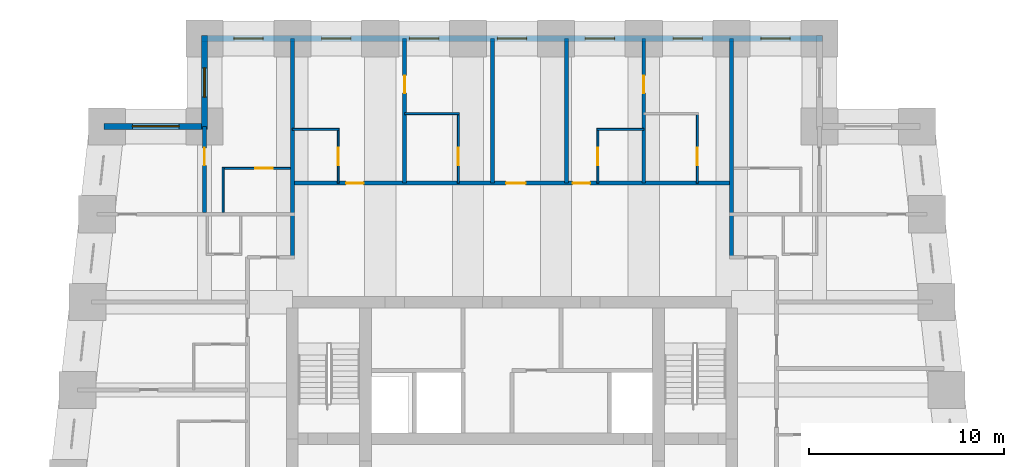
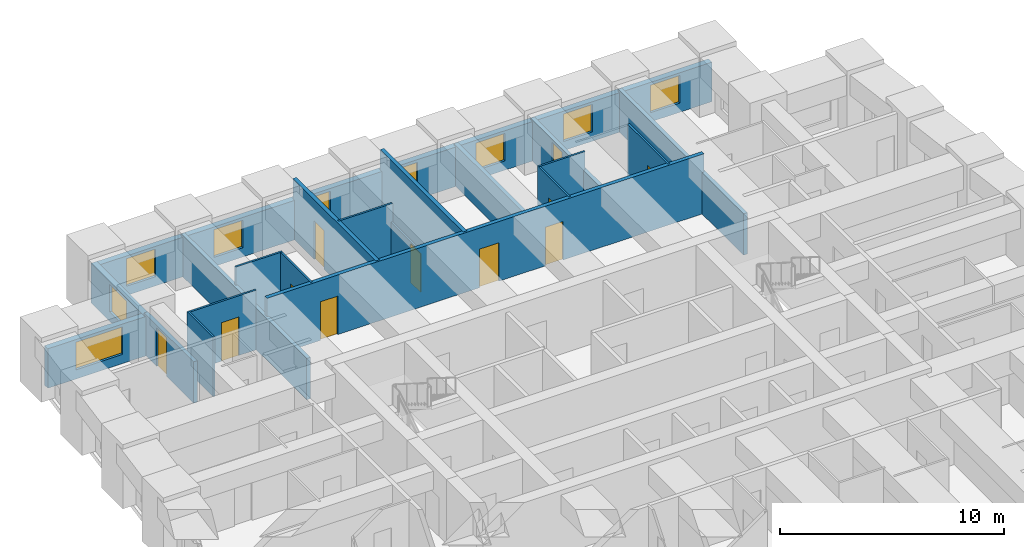
# One storey, part 6 of 8: 20 walls, 11 doors, 9 windows, 20 openings.
"""IFC4 building model written with IfcOpenShell, lengths in metres."""

from ifc_helpers import new_model, si_unit, direction, frame, frame_2d, origin, place, context, subcontext, project, spatial, rectangle, extrude, material, layer, layer_set, type_object, element, fill, save


model = new_model("IFC4")

# Units and contexts
model_context = context("Model", 3, precision=1e-05, world=origin(), true_north=direction((0.0, 1.0)))
body_context = subcontext(model_context, "Body", "Model", "MODEL_VIEW")
ifc_project = project(units=[si_unit("LENGTHUNIT", "METRE"), si_unit("AREAUNIT", "SQUARE_METRE"), si_unit("VOLUMEUNIT", "CUBIC_METRE"), si_unit("PLANEANGLEUNIT", "RADIAN"), si_unit("MASSUNIT", "GRAM", prefix="KILO")], contexts=[model_context])

# Site, building, storey
site_placement = place(None, origin())
site = spatial("IfcSite", under=ifc_project, at=site_placement, CompositionType="ELEMENT")
building_placement = place(site_placement, origin())
building = spatial("IfcBuilding", under=site, at=building_placement, Name="Kilele Tower Hotel", CompositionType="ELEMENT")
storey_placement = place(building_placement, frame((0.0, 0.0, 117.89990234375)))
storey = spatial("IfcBuildingStorey", under=building, at=storey_placement, Name="L30", CompositionType="ELEMENT", Elevation=117.89990234375)

# Wall
ifc_material_1 = material(Name="Moisture-resistant board")
ifc_layer_1 = layer(ifc_material_1, 0.10009765625)
ifc_layer_set_1 = layer_set([ifc_layer_1], Name="Moisture-resistant board")
wall_type_1 = type_object("IfcWallType", Name="Bathroom partition 100", PredefinedType="PLUMBINGWALL", material=ifc_layer_set_1)
wall_1_placement = place(storey_placement, frame((13.5, 35.85009765625, 0.0), z_axis=(0.0, 0.0, 1.0), x_axis=(1.0, 0.0, 0.0)))
element("IfcWall", 1, at=wall_1_placement, inside=storey, type_object=wall_type_1, Name="Bathroom partition 100 L30", PredefinedType="PLUMBINGWALL", context=body_context, shape_type="SweptSolid", body=[
    extrude(rectangle(XDim=2.39990234375, YDim=0.10009765625, at=frame_2d((1.199951171875, 0.0))), origin(), (0.0, 0.0, 1.0), 3.25),
])

# Wall, opening, door
wall_2_placement = place(storey_placement, frame((15.85009765625, 33.10009765625, 0.0), z_axis=(0.0, 0.0, 1.0), x_axis=(0.0, 1.0, 0.0)))
wall_2 = element("IfcWall", 2, at=wall_2_placement, inside=storey, type_object=wall_type_1, Name="Bathroom partition 100 L30", PredefinedType="PLUMBINGWALL", context=body_context, shape_type="SweptSolid", body=[
    extrude(rectangle(XDim=2.7998046875, YDim=0.10009765625, at=frame_2d((1.39990234375, 0.0))), origin(), (0.0, 0.0, 1.0), 3.25),
])
opening_1_placement = place(wall_2_placement, frame((1.7998046875, 0.0, 0.0), z_axis=(0.0, 0.0, 1.0), x_axis=(-1.0, 0.0, 0.0)))
opening_1 = element("IfcOpeningElement", 3, at=opening_1_placement, cuts=wall_2, Name="Opening D2A", PredefinedType="OPENING", context=body_context, shape_type="SweptSolid", body=[
    extrude(rectangle(XDim=0.89990234375, YDim=2.10009765625, at=frame_2d((0.449951171875, 1.050048828125))), frame((0.0, 0.06005859375, 0.0), z_axis=(0.0, -1.0, 0.0), x_axis=(1.0, 0.0, 0.0)), (0.0, 0.0, 1.0), 0.1201171875),
])
ifc_material_2 = material(Name="Timber door leaf in hardwood frame", Category="wood")
door_type_1 = type_object("IfcDoorType", Name="Bathroom door 900", OperationType="SINGLE_SWING_LEFT", PredefinedType="DOOR", material=ifc_material_2)
door_1_placement = place(opening_1_placement, origin())
door_1 = element("IfcDoor", 4, at=door_1_placement, inside=storey, type_object=door_type_1, Name="Bathroom door 3009B", OperationType="SINGLE_SWING_RIGHT", OverallHeight=2.10009765625, OverallWidth=0.89990234375, PredefinedType="DOOR", context=body_context, shape_type="SweptSolid", body=[
    extrude(rectangle(XDim=0.89990234375, YDim=2.10009765625, at=frame_2d((0.449951171875, 1.050048828125))), frame((0.0, 0.02490234375, 0.0), z_axis=(0.0, -1.0, 0.0), x_axis=(1.0, 0.0, 0.0)), (0.0, 0.0, 1.0), 0.050048828125),
])
fill(opening_1, door_1)

# Wall
wall_3_placement = place(storey_placement, frame((19.25, 36.64990234375, 0.0), z_axis=(0.0, 0.0, 1.0), x_axis=(1.0, 0.0, 0.0)))
element("IfcWall", 5, at=wall_3_placement, inside=storey, type_object=wall_type_1, Name="Bathroom partition 100 L30", PredefinedType="PLUMBINGWALL", context=body_context, shape_type="SweptSolid", body=[
    extrude(rectangle(XDim=2.800048828125, YDim=0.10009765625, at=frame_2d((1.39990234375, 0.0))), origin(), (0.0, 0.0, 1.0), 3.25),
])

# Wall, opening, door
wall_4_placement = place(storey_placement, frame((22.0, 33.10009765625, 0.0), z_axis=(0.0, 0.0, 1.0), x_axis=(0.0, 1.0, 0.0)))
wall_4 = element("IfcWall", 6, at=wall_4_placement, inside=storey, type_object=wall_type_1, Name="Bathroom partition 100 L30", PredefinedType="PLUMBINGWALL", context=body_context, shape_type="SweptSolid", body=[
    extrude(rectangle(XDim=3.599853515625, YDim=0.10009765625, at=frame_2d((1.7998046875, 0.0))), origin(), (0.0, 0.0, 1.0), 2.25),
])
opening_2_placement = place(wall_4_placement, frame((1.7998046875, 0.0, 0.0), z_axis=(0.0, 0.0, 1.0), x_axis=(-1.0, 0.0, 0.0)))
opening_2 = element("IfcOpeningElement", 7, at=opening_2_placement, cuts=wall_4, Name="Opening D2A", PredefinedType="OPENING", context=body_context, shape_type="SweptSolid", body=[
    extrude(rectangle(XDim=0.89990234375, YDim=2.10009765625, at=frame_2d((0.449951171875, 1.050048828125))), frame((0.0, 0.06005859375, 0.0), z_axis=(0.0, -1.0, 0.0), x_axis=(1.0, 0.0, 0.0)), (0.0, 0.0, 1.0), 0.1201171875),
])
door_2_placement = place(opening_2_placement, origin())
door_2 = element("IfcDoor", 8, at=door_2_placement, inside=storey, type_object=door_type_1, Name="Bathroom door 3010B", OperationType="SINGLE_SWING_RIGHT", OverallHeight=2.10009765625, OverallWidth=0.89990234375, PredefinedType="DOOR", context=body_context, shape_type="SweptSolid", body=[
    extrude(rectangle(XDim=0.89990234375, YDim=2.10009765625, at=frame_2d((0.449951171875, 1.050048828125))), frame((0.0, 0.02490234375, 0.0), z_axis=(0.0, -1.0, 0.0), x_axis=(1.0, 0.0, 0.0)), (0.0, 0.0, 1.0), 0.050048828125),
])
fill(opening_2, door_2)

# Wall
wall_5_placement = place(storey_placement, frame((29.10009765625, 35.85009765625, 0.0), z_axis=(0.0, 0.0, 1.0), x_axis=(1.0, 0.0, 0.0)))
element("IfcWall", 9, at=wall_5_placement, inside=storey, type_object=wall_type_1, Name="Bathroom partition 100 L30", PredefinedType="PLUMBINGWALL", context=body_context, shape_type="SweptSolid", body=[
    extrude(rectangle(XDim=2.39990234375, YDim=0.10009765625, at=frame_2d((1.199951171875, 0.0))), origin(), (0.0, 0.0, 1.0), 3.25),
])

# Wall, opening, door
wall_6_placement = place(storey_placement, frame((29.14990234375, 33.10009765625, 0.0), z_axis=(0.0, 0.0, 1.0), x_axis=(0.0, 1.0, 0.0)))
wall_6 = element("IfcWall", 10, at=wall_6_placement, inside=storey, type_object=wall_type_1, Name="Bathroom partition 100 L30", PredefinedType="PLUMBINGWALL", context=body_context, shape_type="SweptSolid", body=[
    extrude(rectangle(XDim=2.7998046875, YDim=0.10009765625, at=frame_2d((1.39990234375, 0.0))), origin(), (0.0, 0.0, 1.0), 3.25),
])
opening_3_placement = place(wall_6_placement, frame((0.89990234375, 0.0, 0.0)))
opening_3 = element("IfcOpeningElement", 11, at=opening_3_placement, cuts=wall_6, Name="Opening D2A", PredefinedType="OPENING", context=body_context, shape_type="SweptSolid", body=[
    extrude(rectangle(XDim=0.89990234375, YDim=2.10009765625, at=frame_2d((0.449951171875, 1.050048828125))), frame((0.0, 0.06005859375, 0.0), z_axis=(0.0, -1.0, 0.0), x_axis=(1.0, 0.0, 0.0)), (0.0, 0.0, 1.0), 0.1201171875),
])
door_3_placement = place(opening_3_placement, origin())
door_3 = element("IfcDoor", 12, at=door_3_placement, inside=storey, type_object=door_type_1, Name="Bathroom door 3012B", OperationType="SINGLE_SWING_LEFT", OverallHeight=2.10009765625, OverallWidth=0.89990234375, PredefinedType="DOOR", context=body_context, shape_type="SweptSolid", body=[
    extrude(rectangle(XDim=0.89990234375, YDim=2.10009765625, at=frame_2d((0.449951171875, 1.050048828125))), frame((0.0, 0.02490234375, 0.0), z_axis=(0.0, -1.0, 0.0), x_axis=(1.0, 0.0, 0.0)), (0.0, 0.0, 1.0), 0.050048828125),
])
fill(opening_3, door_3)

wall_7_placement = place(storey_placement, frame((34.25, 33.10009765625, 0.0), z_axis=(0.0, 0.0, 1.0), x_axis=(0.0, 1.0, 0.0)))
wall_7 = element("IfcWall", 13, at=wall_7_placement, inside=storey, type_object=wall_type_1, Name="Bathroom partition 100 L30", PredefinedType="PLUMBINGWALL", context=body_context, shape_type="SweptSolid", body=[
    extrude(rectangle(XDim=3.599853515625, YDim=0.10009765625, at=frame_2d((1.7998046875, 0.0))), origin(), (0.0, 0.0, 1.0), 3.25),
])
opening_4_placement = place(wall_7_placement, frame((1.7998046875, 0.0, 0.0), z_axis=(0.0, 0.0, 1.0), x_axis=(-1.0, 0.0, 0.0)))
opening_4 = element("IfcOpeningElement", 14, at=opening_4_placement, cuts=wall_7, Name="Opening D2A", PredefinedType="OPENING", context=body_context, shape_type="SweptSolid", body=[
    extrude(rectangle(XDim=0.89990234375, YDim=2.10009765625, at=frame_2d((0.449951171875, 1.050048828125))), frame((0.0, 0.06005859375, 0.0), z_axis=(0.0, -1.0, 0.0), x_axis=(1.0, 0.0, 0.0)), (0.0, 0.0, 1.0), 0.1201171875),
])
door_4_placement = place(opening_4_placement, origin())
door_4 = element("IfcDoor", 15, at=door_4_placement, inside=storey, type_object=door_type_1, Name="Bathroom door 3013B", OperationType="SINGLE_SWING_RIGHT", OverallHeight=2.10009765625, OverallWidth=0.89990234375, PredefinedType="DOOR", context=body_context, shape_type="SweptSolid", body=[
    extrude(rectangle(XDim=0.89990234375, YDim=2.10009765625, at=frame_2d((0.449951171875, 1.050048828125))), frame((0.0, 0.02490234375, 0.0), z_axis=(0.0, -1.0, 0.0), x_axis=(1.0, 0.0, 0.0)), (0.0, 0.0, 1.0), 0.050048828125),
])
fill(opening_4, door_4)

# Wall
wall_8_placement = place(storey_placement, frame((9.949951171875, 31.60009765625, 0.0), z_axis=(0.0, 0.0, 1.0), x_axis=(0.0, 1.0, 0.0)))
element("IfcWall", 16, at=wall_8_placement, inside=storey, type_object=wall_type_1, Name="Bathroom partition 100 L30", PredefinedType="PLUMBINGWALL", context=body_context, shape_type="SweptSolid", body=[
    extrude(rectangle(XDim=2.2998046875, YDim=0.10009765625, at=frame_2d((1.14990234375, 0.0))), origin(), (0.0, 0.0, 1.0), 3.25),
])

# Wall, opening, door
wall_9_placement = place(storey_placement, frame((13.39990234375, 33.85009765625, 0.0), z_axis=(0.0, 0.0, 1.0), x_axis=(-1.0, 0.0, 0.0)))
wall_9 = element("IfcWall", 17, at=wall_9_placement, inside=storey, type_object=wall_type_1, Name="Bathroom partition 100 L30", PredefinedType="PLUMBINGWALL", context=body_context, shape_type="SweptSolid", body=[
    extrude(rectangle(XDim=3.5, YDim=0.10009765625, at=frame_2d((1.75, 0.0))), origin(), (0.0, 0.0, 1.0), 3.25),
])
opening_5_placement = place(wall_9_placement, frame((1.7998046875, 0.0, 0.0), z_axis=(0.0, 0.0, 1.0), x_axis=(-1.0, 0.0, 0.0)))
opening_5 = element("IfcOpeningElement", 18, at=opening_5_placement, cuts=wall_9, Name="Opening D2A", PredefinedType="OPENING", context=body_context, shape_type="SweptSolid", body=[
    extrude(rectangle(XDim=0.89990234375, YDim=2.10009765625, at=frame_2d((0.449951171875, 1.050048828125))), frame((0.0, 0.06005859375, 0.0), z_axis=(0.0, -1.0, 0.0), x_axis=(1.0, 0.0, 0.0)), (0.0, 0.0, 1.0), 0.1201171875),
])
door_5_placement = place(opening_5_placement, origin())
door_5 = element("IfcDoor", 19, at=door_5_placement, inside=storey, type_object=door_type_1, Name="Bathroom door 3027B", OperationType="SINGLE_SWING_RIGHT", OverallHeight=2.10009765625, OverallWidth=0.89990234375, PredefinedType="DOOR", context=body_context, shape_type="SweptSolid", body=[
    extrude(rectangle(XDim=0.89990234375, YDim=2.10009765625, at=frame_2d((0.449951171875, 1.050048828125))), frame((0.0, 0.02490234375, 0.0), z_axis=(0.0, -1.0, 0.0), x_axis=(1.0, 0.0, 0.0)), (0.0, 0.0, 1.0), 0.050048828125),
])
fill(opening_5, door_5)

# Wall, openings, doors
ifc_material_3 = material(Name="Blockwork, plastered both sides", Category="masonry")
ifc_layer_2 = layer(ifc_material_3, 0.199951171875)
ifc_layer_set_2 = layer_set([ifc_layer_2], Name="Blockwork, plastered both sides")
wall_type_2 = type_object("IfcWallType", Name="Corridor wall 200", PredefinedType="PARTITIONING", material=ifc_layer_set_2)
wall_10_placement = place(storey_placement, frame((13.5, 33.10009765625, 0.0), z_axis=(0.0, 0.0, 1.0), x_axis=(1.0, 0.0, 0.0)))
wall_10 = element("IfcWall", 20, at=wall_10_placement, inside=storey, type_object=wall_type_2, Name="Corridor wall 200 L30", PredefinedType="PARTITIONING", context=body_context, shape_type="SweptSolid", body=[
    extrude(rectangle(XDim=22.5, YDim=0.199951171875, at=frame_2d((11.25, 0.0))), origin(), (0.0, 0.0, 1.0), 3.25),
])
opening_6_placement = place(wall_10_placement, frame((2.75, 0.0, 0.0)))
opening_6 = element("IfcOpeningElement", 21, at=opening_6_placement, cuts=wall_10, Name="Opening D1", PredefinedType="OPENING", context=body_context, shape_type="SweptSolid", body=[
    extrude(rectangle(XDim=0.89990234375, YDim=2.10009765625, at=frame_2d((0.449951171875, 1.050048828125))), frame((0.0, 0.10986328125, 0.0), z_axis=(0.0, -1.0, 0.0), x_axis=(1.0, 0.0, 0.0)), (0.0, 0.0, 1.0), 0.219970703125),
])
opening_7_placement = place(wall_10_placement, frame((10.949951171875, 0.0, 0.0)))
opening_7 = element("IfcOpeningElement", 22, at=opening_7_placement, cuts=wall_10, Name="Opening D8", PredefinedType="OPENING", context=body_context, shape_type="SweptSolid", body=[
    extrude(rectangle(XDim=1.0, YDim=2.10009765625, at=frame_2d((0.5, 1.050048828125))), frame((0.0, 0.10986328125, 0.0), z_axis=(0.0, -1.0, 0.0), x_axis=(1.0, 0.0, 0.0)), (0.0, 0.0, 1.0), 0.219970703125),
])
opening_8_placement = place(wall_10_placement, frame((14.35009765625, 0.0, 0.0)))
opening_8 = element("IfcOpeningElement", 23, at=opening_8_placement, cuts=wall_10, Name="Opening D1", PredefinedType="OPENING", context=body_context, shape_type="SweptSolid", body=[
    extrude(rectangle(XDim=0.89990234375, YDim=2.10009765625, at=frame_2d((0.449951171875, 1.050048828125))), frame((0.0, 0.10986328125, 0.0), z_axis=(0.0, -1.0, 0.0), x_axis=(1.0, 0.0, 0.0)), (0.0, 0.0, 1.0), 0.219970703125),
])
ifc_material_4 = material(Name="Timber door leaf in hardwood frame", Category="wood")
door_type_2 = type_object("IfcDoorType", Name="Door 1000", OperationType="SINGLE_SWING_LEFT", PredefinedType="DOOR", material=ifc_material_4)
door_6_placement = place(opening_7_placement, origin())
door_6 = element("IfcDoor", 24, at=door_6_placement, inside=storey, type_object=door_type_2, Name="Room entrance 3011", OperationType="SINGLE_SWING_LEFT", OverallHeight=2.10009765625, OverallWidth=1.0, PredefinedType="DOOR", context=body_context, shape_type="SweptSolid", body=[
    extrude(rectangle(XDim=1.0, YDim=2.10009765625, at=frame_2d((0.5, 1.050048828125))), frame((0.0, 0.02490234375, 0.0), z_axis=(0.0, -1.0, 0.0), x_axis=(1.0, 0.0, 0.0)), (0.0, 0.0, 1.0), 0.050048828125),
])
fill(opening_7, door_6)
ifc_material_5 = material(Name="Timber door leaf in hardwood frame", Category="wood")
door_type_3 = type_object("IfcDoorType", Name="Guest room entrance door 900", OperationType="SINGLE_SWING_LEFT", PredefinedType="DOOR", material=ifc_material_5)
door_7_placement = place(opening_6_placement, origin())
door_7 = element("IfcDoor", 25, at=door_7_placement, inside=storey, type_object=door_type_3, Name="Room entrance 3009", OperationType="SINGLE_SWING_LEFT", OverallHeight=2.10009765625, OverallWidth=0.89990234375, PredefinedType="DOOR", context=body_context, shape_type="SweptSolid", body=[
    extrude(rectangle(XDim=0.89990234375, YDim=2.10009765625, at=frame_2d((0.449951171875, 1.050048828125))), frame((0.0, 0.02490234375, 0.0), z_axis=(0.0, -1.0, 0.0), x_axis=(1.0, 0.0, 0.0)), (0.0, 0.0, 1.0), 0.050048828125),
])
fill(opening_6, door_7)
door_8_placement = place(opening_8_placement, origin())
door_8 = element("IfcDoor", 26, at=door_8_placement, inside=storey, type_object=door_type_3, Name="Room entrance 3012", OperationType="SINGLE_SWING_LEFT", OverallHeight=2.10009765625, OverallWidth=0.89990234375, PredefinedType="DOOR", context=body_context, shape_type="SweptSolid", body=[
    extrude(rectangle(XDim=0.89990234375, YDim=2.10009765625, at=frame_2d((0.449951171875, 1.050048828125))), frame((0.0, 0.02490234375, 0.0), z_axis=(0.0, -1.0, 0.0), x_axis=(1.0, 0.0, 0.0)), (0.0, 0.0, 1.0), 0.050048828125),
])
fill(opening_8, door_8)

# Wall, opening, door
ifc_material_6 = material(Name="Blockwork, plastered both sides", Category="masonry")
ifc_layer_3 = layer(ifc_material_6, 0.199951171875)
ifc_layer_set_3 = layer_set([ifc_layer_3], Name="Blockwork, plastered both sides")
wall_type_3 = type_object("IfcWallType", Name="Partition wall 200", PredefinedType="PARTITIONING", material=ifc_layer_set_3)
wall_11_placement = place(storey_placement, frame((9.0, 31.60009765625, 0.0), z_axis=(0.0, 0.0, 1.0), x_axis=(0.0, 1.0, 0.0)))
wall_11 = element("IfcWall", 27, at=wall_11_placement, inside=storey, type_object=wall_type_3, Name="Partition wall 200 L30", PredefinedType="PARTITIONING", context=body_context, shape_type="SweptSolid", body=[
    extrude(rectangle(XDim=4.39990234375, YDim=0.199951171875, at=frame_2d((2.199951171875, 0.0))), origin(), (0.0, 0.0, 1.0), 2.25),
])
opening_9_placement = place(wall_11_placement, frame((3.2998046875, 0.0, 0.0), z_axis=(0.0, 0.0, 1.0), x_axis=(-1.0, 0.0, 0.0)))
opening_9 = element("IfcOpeningElement", 28, at=opening_9_placement, cuts=wall_11, Name="Opening D3", PredefinedType="OPENING", context=body_context, shape_type="SweptSolid", body=[
    extrude(rectangle(XDim=0.89990234375, YDim=2.10009765625, at=frame_2d((0.449951171875, 1.050048828125))), frame((0.0, 0.10986328125, 0.0), z_axis=(0.0, -1.0, 0.0), x_axis=(1.0, 0.0, 0.0)), (0.0, 0.0, 1.0), 0.219970703125),
])
ifc_material_7 = material(Name="Timber door leaf in hardwood frame", Category="wood")
door_type_4 = type_object("IfcDoorType", Name="Suite internal door 900", OperationType="SINGLE_SWING_LEFT", PredefinedType="DOOR", material=ifc_material_7)
door_9_placement = place(opening_9_placement, origin())
door_9 = element("IfcDoor", 29, at=door_9_placement, inside=storey, type_object=door_type_4, Name="Suite door 3028", OperationType="SINGLE_SWING_RIGHT", OverallHeight=2.10009765625, OverallWidth=0.89990234375, PredefinedType="DOOR", context=body_context, shape_type="SweptSolid", body=[
    extrude(rectangle(XDim=0.89990234375, YDim=2.10009765625, at=frame_2d((0.449951171875, 1.050048828125))), frame((0.0, 0.02490234375, 0.0), z_axis=(0.0, -1.0, 0.0), x_axis=(1.0, 0.0, 0.0)), (0.0, 0.0, 1.0), 0.050048828125),
])
fill(opening_9, door_9)

ifc_material_8 = material(Name="Blockwork, plastered both sides", Category="masonry")
ifc_layer_4 = layer(ifc_material_8, 0.199951171875)
ifc_layer_set_4 = layer_set([ifc_layer_4], Name="Blockwork, plastered both sides")
wall_type_4 = type_object("IfcWallType", Name="Party wall 200", PredefinedType="PARTITIONING", material=ifc_layer_set_4)
wall_12_placement = place(storey_placement, frame((19.25, 33.10009765625, 0.0), z_axis=(0.0, 0.0, 1.0), x_axis=(0.0, 1.0, 0.0)))
wall_12 = element("IfcWall", 30, at=wall_12_placement, inside=storey, type_object=wall_type_4, Name="Party wall 200 L30", PredefinedType="PARTITIONING", context=body_context, shape_type="SweptSolid", body=[
    extrude(rectangle(XDim=7.39990234375, YDim=0.199951171875, at=frame_2d((3.699951171875, 0.0))), origin(), (0.0, 0.0, 1.0), 3.25),
])
opening_10_placement = place(wall_12_placement, frame((5.5, 0.0, 0.0), z_axis=(0.0, 0.0, 1.0), x_axis=(-1.0, 0.0, 0.0)))
opening_10 = element("IfcOpeningElement", 31, at=opening_10_placement, cuts=wall_12, Name="Opening D3", PredefinedType="OPENING", context=body_context, shape_type="SweptSolid", body=[
    extrude(rectangle(XDim=0.89990234375, YDim=2.10009765625, at=frame_2d((0.449951171875, 1.050048828125))), frame((0.0, 0.10986328125, 0.0), z_axis=(0.0, -1.0, 0.0), x_axis=(1.0, 0.0, 0.0)), (0.0, 0.0, 1.0), 0.219970703125),
])
door_10_placement = place(opening_10_placement, origin())
door_10 = element("IfcDoor", 32, at=door_10_placement, inside=storey, type_object=door_type_4, Name="Suite door 3010", OperationType="SINGLE_SWING_RIGHT", OverallHeight=2.10009765625, OverallWidth=0.89990234375, PredefinedType="DOOR", context=body_context, shape_type="SweptSolid", body=[
    extrude(rectangle(XDim=0.89990234375, YDim=2.10009765625, at=frame_2d((0.449951171875, 1.050048828125))), frame((0.0, 0.02490234375, 0.0), z_axis=(0.0, -1.0, 0.0), x_axis=(1.0, 0.0, 0.0)), (0.0, 0.0, 1.0), 0.050048828125),
])
fill(opening_10, door_10)

# Walls
wall_13_placement = place(storey_placement, frame((23.75, 33.10009765625, 0.0), z_axis=(0.0, 0.0, 1.0), x_axis=(0.0, 1.0, 0.0)))
element("IfcWall", 33, at=wall_13_placement, inside=storey, type_object=wall_type_4, Name="Party wall 200 L30", PredefinedType="PARTITIONING", context=body_context, shape_type="SweptSolid", body=[
    extrude(rectangle(XDim=7.39990234375, YDim=0.199951171875, at=frame_2d((3.699951171875, 0.0))), origin(), (0.0, 0.0, 1.0), 3.25),
])
wall_14_placement = place(storey_placement, frame((27.550048828125, 33.10009765625, 0.0), z_axis=(0.0, 0.0, 1.0), x_axis=(0.0, 1.0, 0.0)))
element("IfcWall", 34, at=wall_14_placement, inside=storey, type_object=wall_type_4, Name="Party wall 200 L30", PredefinedType="PARTITIONING", context=body_context, shape_type="SweptSolid", body=[
    extrude(rectangle(XDim=7.39990234375, YDim=0.199951171875, at=frame_2d((3.699951171875, 0.0))), origin(), (0.0, 0.0, 1.0), 2.25),
])

# Wall, opening, door
wall_15_placement = place(storey_placement, frame((31.5, 33.10009765625, 0.0), z_axis=(0.0, 0.0, 1.0), x_axis=(0.0, 1.0, 0.0)))
wall_15 = element("IfcWall", 35, at=wall_15_placement, inside=storey, type_object=wall_type_4, Name="Party wall 200 L30", PredefinedType="PARTITIONING", context=body_context, shape_type="SweptSolid", body=[
    extrude(rectangle(XDim=7.39990234375, YDim=0.199951171875, at=frame_2d((3.699951171875, 0.0))), origin(), (0.0, 0.0, 1.0), 2.25),
])
opening_11_placement = place(wall_15_placement, frame((5.5, 0.0, 0.0), z_axis=(0.0, 0.0, 1.0), x_axis=(-1.0, 0.0, 0.0)))
opening_11 = element("IfcOpeningElement", 36, at=opening_11_placement, cuts=wall_15, Name="Opening D3", PredefinedType="OPENING", context=body_context, shape_type="SweptSolid", body=[
    extrude(rectangle(XDim=0.89990234375, YDim=2.10009765625, at=frame_2d((0.449951171875, 1.050048828125))), frame((0.0, 0.10986328125, 0.0), z_axis=(0.0, -1.0, 0.0), x_axis=(1.0, 0.0, 0.0)), (0.0, 0.0, 1.0), 0.219970703125),
])
door_11_placement = place(opening_11_placement, origin())
door_11 = element("IfcDoor", 37, at=door_11_placement, inside=storey, type_object=door_type_4, Name="Suite door 3013", OperationType="SINGLE_SWING_RIGHT", OverallHeight=2.10009765625, OverallWidth=0.89990234375, PredefinedType="DOOR", context=body_context, shape_type="SweptSolid", body=[
    extrude(rectangle(XDim=0.89990234375, YDim=2.10009765625, at=frame_2d((0.449951171875, 1.050048828125))), frame((0.0, 0.02490234375, 0.0), z_axis=(0.0, -1.0, 0.0), x_axis=(1.0, 0.0, 0.0)), (0.0, 0.0, 1.0), 0.050048828125),
])
fill(opening_11, door_11)

# Walls
for number, where, z_axis, x_axis, name in (
    (38, (36.0, 29.300048828125, 0.0), (0.0, 0.0, 1.0), (0.0, 1.0, 0.0), "Party wall 200 L30"),
    (39, (13.5, 29.300048828125, 0.0), (0.0, 0.0, 1.0), (0.0, 1.0, 0.0), "Party wall 200 L30"),
):
    element("IfcWall", number, at=place(storey_placement, frame(where, z_axis=z_axis, x_axis=x_axis)), inside=storey, type_object=wall_type_4, Name=name, PredefinedType="PARTITIONING", context=body_context, shape_type="SweptSolid", body=[
        extrude(rectangle(XDim=11.199951171875, YDim=0.199951171875, at=frame_2d((5.60009765625, 0.0))), origin(), (0.0, 0.0, 1.0), 2.25),
    ])

# Wall, openings, windows
ifc_material_9 = material(Name="Concrete C40/50 precast", Category="concrete")
ifc_layer_5 = layer(ifc_material_9, 0.260009765625, Name="Precast backing", Category="LoadBearing")
ifc_material_10 = material(Name="Reconstituted stone finish", Category="masonry")
ifc_layer_6 = layer(ifc_material_10, 0.0400390625, Name="Face mix", Category="Finish")
ifc_layer_set_5 = layer_set([ifc_layer_5, ifc_layer_6], Name="Precast concrete C40/50, reconstituted stone finish")
wall_type_5 = type_object("IfcWallType", Name="Precast stone facade wall 300", PredefinedType="STANDARD", material=ifc_layer_set_5)
wall_16_placement = place(storey_placement, frame((40.64990234375, 40.5, 0.0), z_axis=(0.0, 0.0, 1.0), x_axis=(-1.0, 0.0, 0.0)))
wall_16 = element("IfcWall", 40, at=wall_16_placement, inside=storey, type_object=wall_type_5, Name="Facade wall L30 edge 9", PredefinedType="STANDARD", context=body_context, shape_type="SweptSolid", body=[
    extrude(rectangle(XDim=31.7998046875, YDim=0.300048828125, at=frame_2d((15.89990234375, 0.0))), origin(), (0.0, 0.0, 1.0), 2.150146484375),
])
opening_12_placement = place(wall_16_placement, frame((1.64990234375, 0.0, 0.5)))
opening_12 = element("IfcOpeningElement", 41, at=opening_12_placement, cuts=wall_16, Name="Opening W2", PredefinedType="OPENING", context=body_context, shape_type="SweptSolid", body=[
    extrude(rectangle(XDim=1.5, YDim=1.5, at=frame_2d((0.75, 0.75))), frame((0.0, 0.159912109375, 0.0), z_axis=(0.0, -1.0, 0.0), x_axis=(1.0, 0.0, 0.0)), (0.0, 0.0, 1.0), 0.320068359375),
])
opening_13_placement = place(wall_16_placement, frame((6.14990234375, 0.0, 0.5)))
opening_13 = element("IfcOpeningElement", 42, at=opening_13_placement, cuts=wall_16, Name="Opening W2", PredefinedType="OPENING", context=body_context, shape_type="SweptSolid", body=[
    extrude(rectangle(XDim=1.5, YDim=1.5, at=frame_2d((0.75, 0.75))), frame((0.0, 0.159912109375, 0.0), z_axis=(0.0, -1.0, 0.0), x_axis=(1.0, 0.0, 0.0)), (0.0, 0.0, 1.0), 0.320068359375),
])
opening_14_placement = place(wall_16_placement, frame((10.64990234375, 0.0, 0.5)))
opening_14 = element("IfcOpeningElement", 43, at=opening_14_placement, cuts=wall_16, Name="Opening W2", PredefinedType="OPENING", context=body_context, shape_type="SweptSolid", body=[
    extrude(rectangle(XDim=1.5, YDim=1.5, at=frame_2d((0.75, 0.75))), frame((0.0, 0.159912109375, 0.0), z_axis=(0.0, -1.0, 0.0), x_axis=(1.0, 0.0, 0.0)), (0.0, 0.0, 1.0), 0.320068359375),
])
opening_15_placement = place(wall_16_placement, frame((15.14990234375, 0.0, 0.5)))
opening_15 = element("IfcOpeningElement", 44, at=opening_15_placement, cuts=wall_16, Name="Opening W2", PredefinedType="OPENING", context=body_context, shape_type="SweptSolid", body=[
    extrude(rectangle(XDim=1.5, YDim=1.5, at=frame_2d((0.75, 0.75))), frame((0.0, 0.159912109375, 0.0), z_axis=(0.0, -1.0, 0.0), x_axis=(1.0, 0.0, 0.0)), (0.0, 0.0, 1.0), 0.320068359375),
])
opening_16_placement = place(wall_16_placement, frame((19.64990234375, 0.0, 0.5)))
opening_16 = element("IfcOpeningElement", 45, at=opening_16_placement, cuts=wall_16, Name="Opening W2", PredefinedType="OPENING", context=body_context, shape_type="SweptSolid", body=[
    extrude(rectangle(XDim=1.5, YDim=1.5, at=frame_2d((0.75, 0.75))), frame((0.0, 0.159912109375, 0.0), z_axis=(0.0, -1.0, 0.0), x_axis=(1.0, 0.0, 0.0)), (0.0, 0.0, 1.0), 0.320068359375),
])
opening_17_placement = place(wall_16_placement, frame((24.14990234375, 0.0, 0.5)))
opening_17 = element("IfcOpeningElement", 46, at=opening_17_placement, cuts=wall_16, Name="Opening W2", PredefinedType="OPENING", context=body_context, shape_type="SweptSolid", body=[
    extrude(rectangle(XDim=1.5, YDim=1.5, at=frame_2d((0.75, 0.75))), frame((0.0, 0.159912109375, 0.0), z_axis=(0.0, -1.0, 0.0), x_axis=(1.0, 0.0, 0.0)), (0.0, 0.0, 1.0), 0.320068359375),
])
opening_18_placement = place(wall_16_placement, frame((28.64990234375, 0.0, 0.5)))
opening_18 = element("IfcOpeningElement", 47, at=opening_18_placement, cuts=wall_16, Name="Opening W2", PredefinedType="OPENING", context=body_context, shape_type="SweptSolid", body=[
    extrude(rectangle(XDim=1.5, YDim=1.5, at=frame_2d((0.75, 0.75))), frame((0.0, 0.159912109375, 0.0), z_axis=(0.0, -1.0, 0.0), x_axis=(1.0, 0.0, 0.0)), (0.0, 0.0, 1.0), 0.320068359375),
])
ifc_material_11 = material(Name="Aluminium frame, clear double glazing", Category="aluminium")
window_type_1 = type_object("IfcWindowType", Name="Window W2 1500 x 1500", PartitioningType="SINGLE_PANEL", PredefinedType="WINDOW", material=ifc_material_11)
window_1_placement = place(opening_12_placement, origin())
window_1 = element("IfcWindow", 48, at=window_1_placement, inside=storey, type_object=window_type_1, Name="Window L30", OverallHeight=1.5, OverallWidth=1.5, PartitioningType="SINGLE_PANEL", PredefinedType="WINDOW", context=body_context, shape_type="SweptSolid", body=[
    extrude(rectangle(XDim=1.5, YDim=1.5, at=frame_2d((0.75, 0.75))), frame((0.0, 0.030029296875, 0.0), z_axis=(0.0, -1.0, 0.0), x_axis=(1.0, 0.0, 0.0)), (0.0, 0.0, 1.0), 0.06005859375),
])
fill(opening_12, window_1)
window_2_placement = place(opening_13_placement, origin())
window_2 = element("IfcWindow", 49, at=window_2_placement, inside=storey, type_object=window_type_1, Name="Window L30", OverallHeight=1.5, OverallWidth=1.5, PartitioningType="SINGLE_PANEL", PredefinedType="WINDOW", context=body_context, shape_type="SweptSolid", body=[
    extrude(rectangle(XDim=1.5, YDim=1.5, at=frame_2d((0.75, 0.75))), frame((0.0, 0.030029296875, 0.0), z_axis=(0.0, -1.0, 0.0), x_axis=(1.0, 0.0, 0.0)), (0.0, 0.0, 1.0), 0.06005859375),
])
fill(opening_13, window_2)
window_3_placement = place(opening_14_placement, origin())
window_3 = element("IfcWindow", 50, at=window_3_placement, inside=storey, type_object=window_type_1, Name="Window L30", OverallHeight=1.5, OverallWidth=1.5, PartitioningType="SINGLE_PANEL", PredefinedType="WINDOW", context=body_context, shape_type="SweptSolid", body=[
    extrude(rectangle(XDim=1.5, YDim=1.5, at=frame_2d((0.75, 0.75))), frame((0.0, 0.030029296875, 0.0), z_axis=(0.0, -1.0, 0.0), x_axis=(1.0, 0.0, 0.0)), (0.0, 0.0, 1.0), 0.06005859375),
])
fill(opening_14, window_3)
window_4_placement = place(opening_15_placement, origin())
window_4 = element("IfcWindow", 51, at=window_4_placement, inside=storey, type_object=window_type_1, Name="Window L30", OverallHeight=1.5, OverallWidth=1.5, PartitioningType="SINGLE_PANEL", PredefinedType="WINDOW", context=body_context, shape_type="SweptSolid", body=[
    extrude(rectangle(XDim=1.5, YDim=1.5, at=frame_2d((0.75, 0.75))), frame((0.0, 0.030029296875, 0.0), z_axis=(0.0, -1.0, 0.0), x_axis=(1.0, 0.0, 0.0)), (0.0, 0.0, 1.0), 0.06005859375),
])
fill(opening_15, window_4)
window_5_placement = place(opening_16_placement, origin())
window_5 = element("IfcWindow", 52, at=window_5_placement, inside=storey, type_object=window_type_1, Name="Window L30", OverallHeight=1.5, OverallWidth=1.5, PartitioningType="SINGLE_PANEL", PredefinedType="WINDOW", context=body_context, shape_type="SweptSolid", body=[
    extrude(rectangle(XDim=1.5, YDim=1.5, at=frame_2d((0.75, 0.75))), frame((0.0, 0.030029296875, 0.0), z_axis=(0.0, -1.0, 0.0), x_axis=(1.0, 0.0, 0.0)), (0.0, 0.0, 1.0), 0.06005859375),
])
fill(opening_16, window_5)
window_6_placement = place(opening_17_placement, origin())
window_6 = element("IfcWindow", 53, at=window_6_placement, inside=storey, type_object=window_type_1, Name="Window L30", OverallHeight=1.5, OverallWidth=1.5, PartitioningType="SINGLE_PANEL", PredefinedType="WINDOW", context=body_context, shape_type="SweptSolid", body=[
    extrude(rectangle(XDim=1.5, YDim=1.5, at=frame_2d((0.75, 0.75))), frame((0.0, 0.030029296875, 0.0), z_axis=(0.0, -1.0, 0.0), x_axis=(1.0, 0.0, 0.0)), (0.0, 0.0, 1.0), 0.06005859375),
])
fill(opening_17, window_6)
window_7_placement = place(opening_18_placement, origin())
window_7 = element("IfcWindow", 54, at=window_7_placement, inside=storey, type_object=window_type_1, Name="Window L30", OverallHeight=1.5, OverallWidth=1.5, PartitioningType="SINGLE_PANEL", PredefinedType="WINDOW", context=body_context, shape_type="SweptSolid", body=[
    extrude(rectangle(XDim=1.5, YDim=1.5, at=frame_2d((0.75, 0.75))), frame((0.0, 0.030029296875, 0.0), z_axis=(0.0, -1.0, 0.0), x_axis=(1.0, 0.0, 0.0)), (0.0, 0.0, 1.0), 0.06005859375),
])
fill(opening_18, window_7)

# Wall, opening, window
wall_17_placement = place(storey_placement, frame((9.0, 40.64990234375, 0.0), z_axis=(0.0, 0.0, 1.0), x_axis=(0.0, -1.0, 0.0)))
wall_17 = element("IfcWall", 55, at=wall_17_placement, inside=storey, type_object=wall_type_5, Name="Facade wall L30 edge 10", PredefinedType="STANDARD", context=body_context, shape_type="SweptSolid", body=[
    extrude(rectangle(XDim=4.7998046875, YDim=0.300048828125, at=frame_2d((2.39990234375, 0.0))), origin(), (0.0, 0.0, 1.0), 2.150146484375),
])
opening_19_placement = place(wall_17_placement, frame((1.64990234375, 0.0, 0.5)))
opening_19 = element("IfcOpeningElement", 56, at=opening_19_placement, cuts=wall_17, Name="Opening W2", PredefinedType="OPENING", context=body_context, shape_type="SweptSolid", body=[
    extrude(rectangle(XDim=1.5, YDim=1.5, at=frame_2d((0.75, 0.75))), frame((0.0, 0.159912109375, 0.0), z_axis=(0.0, -1.0, 0.0), x_axis=(1.0, 0.0, 0.0)), (0.0, 0.0, 1.0), 0.320068359375),
])
window_8_placement = place(opening_19_placement, origin())
window_8 = element("IfcWindow", 57, at=window_8_placement, inside=storey, type_object=window_type_1, Name="Window L30", OverallHeight=1.5, OverallWidth=1.5, PartitioningType="SINGLE_PANEL", PredefinedType="WINDOW", context=body_context, shape_type="SweptSolid", body=[
    extrude(rectangle(XDim=1.5, YDim=1.5, at=frame_2d((0.75, 0.75))), frame((0.0, 0.030029296875, 0.0), z_axis=(0.0, -1.0, 0.0), x_axis=(1.0, 0.0, 0.0)), (0.0, 0.0, 1.0), 0.06005859375),
])
fill(opening_19, window_8)

wall_18_placement = place(storey_placement, frame((9.14990234375, 36.0, 0.0), z_axis=(0.0, 0.0, 1.0), x_axis=(-1.0, 0.0, 0.0)))
wall_18 = element("IfcWall", 58, at=wall_18_placement, inside=storey, type_object=wall_type_5, Name="Facade wall L30 edge 11", PredefinedType="STANDARD", context=body_context, shape_type="SweptSolid", body=[
    extrude(rectangle(XDim=5.2998046875, YDim=0.300048828125, at=frame_2d((2.64990234375, 0.0))), origin(), (0.0, 0.0, 1.0), 2.150146484375),
])
opening_20_placement = place(wall_18_placement, frame((1.449951171875, 0.0, 0.5)))
opening_20 = element("IfcOpeningElement", 59, at=opening_20_placement, cuts=wall_18, Name="Opening W2", PredefinedType="OPENING", context=body_context, shape_type="SweptSolid", body=[
    extrude(rectangle(XDim=2.39990234375, YDim=1.5, at=frame_2d((1.199951171875, 0.75))), frame((0.0, 0.159912109375, 0.0), z_axis=(0.0, -1.0, 0.0), x_axis=(1.0, 0.0, 0.0)), (0.0, 0.0, 1.0), 0.320068359375),
])
ifc_material_12 = material(Name="Aluminium frame, clear double glazing", Category="aluminium")
window_type_2 = type_object("IfcWindowType", Name="Window W2 2400 x 1500", PartitioningType="SINGLE_PANEL", PredefinedType="WINDOW", material=ifc_material_12)
window_9_placement = place(opening_20_placement, origin())
window_9 = element("IfcWindow", 60, at=window_9_placement, inside=storey, type_object=window_type_2, Name="Window L30", OverallHeight=1.5, OverallWidth=2.39990234375, PartitioningType="SINGLE_PANEL", PredefinedType="WINDOW", context=body_context, shape_type="SweptSolid", body=[
    extrude(rectangle(XDim=2.39990234375, YDim=1.5, at=frame_2d((1.199951171875, 0.75))), frame((0.0, 0.030029296875, 0.0), z_axis=(0.0, -1.0, 0.0), x_axis=(1.0, 0.0, 0.0)), (0.0, 0.0, 1.0), 0.06005859375),
])
fill(opening_20, window_9)

save(model, "model.ifc")
